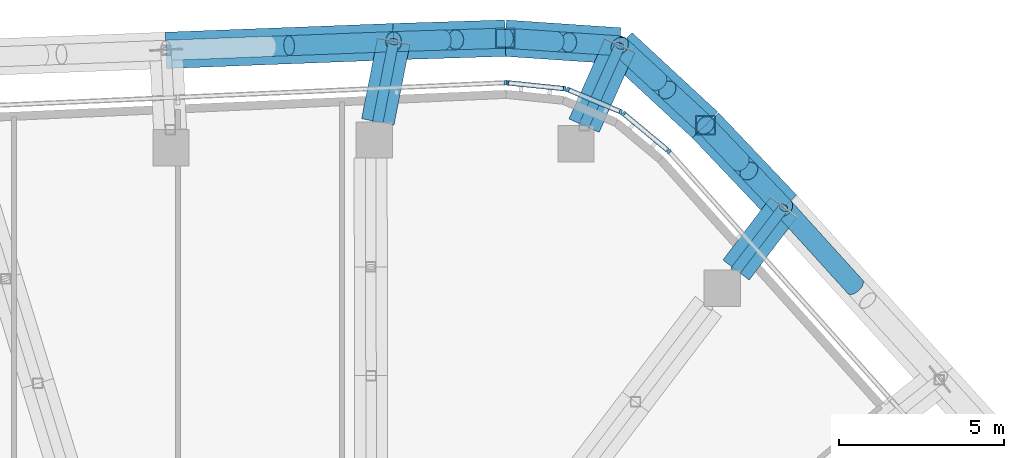
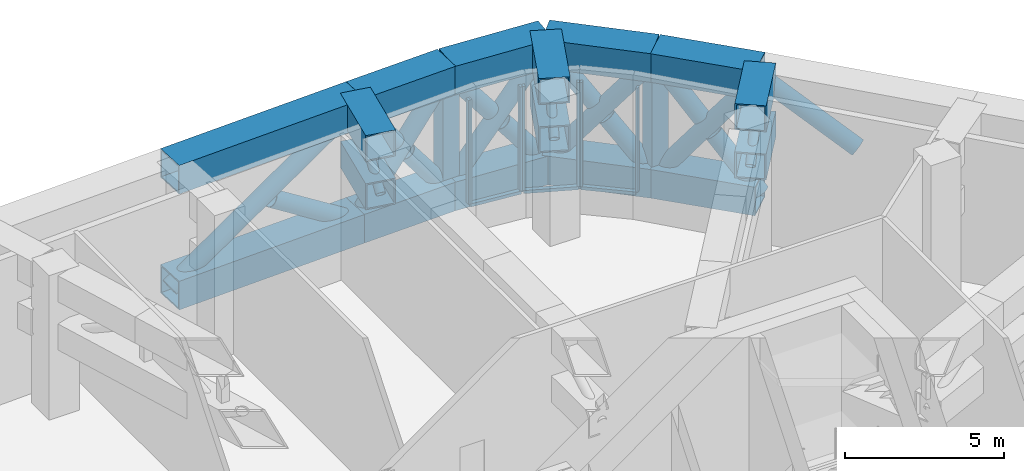
# One storey, part 9 of 31: 46 members, 3 elements without a shape of their own.
"""IFC4 building model written with IfcOpenShell, lengths in metres."""

from ifc_helpers import new_model, si_unit, direction, frame, origin, origin_2d, place, context, subcontext, project, spatial, rectangle, hollow_rectangle, hollow_circle, extrude, material, layer, layer_set, material_profile, profile_set, type_object, element, aggregate, save


model = new_model("IFC4")

# Units and contexts
model_context = context("Model", 3, precision=1e-05, world=origin(), true_north=direction((0.0, 1.0)))
body_context = subcontext(model_context, "Body", "Model", "MODEL_VIEW")
ifc_project = project(units=[si_unit("LENGTHUNIT", "METRE"), si_unit("AREAUNIT", "SQUARE_METRE"), si_unit("VOLUMEUNIT", "CUBIC_METRE"), si_unit("PLANEANGLEUNIT", "RADIAN"), si_unit("MASSUNIT", "GRAM", prefix="KILO")], contexts=[model_context])

# Site, building, storey
site_placement = place(None, origin())
site = spatial("IfcSite", under=ifc_project, at=site_placement, CompositionType="ELEMENT")
building_placement = place(site_placement, origin())
building = spatial("IfcBuilding", under=site, at=building_placement, Name="Dongbaek Canopy Tower", CompositionType="ELEMENT")
storey_placement = place(building_placement, frame((0.0, 0.0, 283.199951171875)))
storey = spatial("IfcBuildingStorey", under=building, at=storey_placement, Name="L60", CompositionType="ELEMENT", Elevation=283.199951171875)

# Members
ifc_material_1 = material(Name="Steel S355", Category="steel")
ifc_material_profile_1 = material_profile(ifc_material_1, hollow_circle(Radius=0.304931640625, WallThickness=0.01611328125, at=origin_2d()), Name="BELT BRACE CHS 610.0x16.0 Steel S355")
ifc_profile_set_1 = profile_set([ifc_material_profile_1], Name="Steel S355")
member_type_1 = type_object("IfcMemberType", Name="BELT BRACE CHS 610.0x16.0 Steel S355", PredefinedType="BRACE", material=ifc_profile_set_1)
member_1_placement = place(storey_placement, frame((-1.41845703125, 27.427978515625, 0.550048828125), z_axis=(0.839592130789, 0.032160415768, 0.542264475671), x_axis=(-0.038276737837, 0.999267177156, 0.0)))
element("IfcMember", 1, at=member_1_placement, inside=storey, type_object=member_type_1, Name="BELT:L60:15:D0:0", PredefinedType="BRACE", context=body_context, shape_type="SweptSolid", body=[
    extrude(hollow_circle(Radius=0.304931640625, WallThickness=0.01611328125, at=origin_2d()), origin(), (0.0, 0.0, 1.0), 8.206298828125),
])
member_2_placement = place(storey_placement, frame((5.471435546875, 27.69189453125, 0.550048828125), z_axis=(-0.839586464531, -0.032134801019, 0.542274767198), x_axis=(0.038246553987, -0.999268332886, 0.0)))
element("IfcMember", 2, at=member_2_placement, inside=storey, type_object=member_type_1, Name="BELT:L60:15:D0:1", PredefinedType="BRACE", context=body_context, shape_type="SweptSolid", body=[
    extrude(hollow_circle(Radius=0.304931640625, WallThickness=0.01611328125, at=origin_2d()), origin(), (0.0, 0.0, 1.0), 3.768310546875),
])
member_3_placement = place(storey_placement, frame((5.471435546875, 27.69189453125, 0.550048828125), z_axis=(0.604545577197, 0.018874300018, 0.796346913028), x_axis=(-0.031205435605, 0.999512991806, 0.0)))
element("IfcMember", 3, at=member_3_placement, inside=storey, type_object=member_type_1, Name="BELT:L60:16:D0:0", PredefinedType="BRACE", context=body_context, shape_type="SweptSolid", body=[
    extrude(hollow_circle(Radius=0.304931640625, WallThickness=0.01611328125, at=origin_2d()), origin(), (0.0, 0.0, 1.0), 5.587890625),
])
for number, where, z_axis, x_axis, name in (
    (4, (8.849609375, 27.79736328125, 0.550048828125), (-0.604502576476, -0.018921502231, 0.796378435034), (0.031285623269, -0.999510485076, 0.0), "BELT:L60:16:D0:1"),
    (5, (5.471435546875, 27.69189453125, 5.0), (0.604503700762, 0.018822987748, -0.796379916182), (-0.031122835562, 0.999515567216, 0.0), "BELT:L60:16:D0:2"),
):
    element("IfcMember", number, at=place(storey_placement, frame(where, z_axis=z_axis, x_axis=x_axis)), inside=storey, type_object=member_type_1, Name=name, PredefinedType="BRACE", context=body_context, shape_type="SweptSolid", body=[
        extrude(hollow_circle(Radius=0.304931640625, WallThickness=0.01611328125, at=origin_2d()), origin(), (0.0, 0.0, 1.0), 2.477294921875),
    ])
member_4_placement = place(storey_placement, frame((8.849609375, 27.79736328125, 0.550048828125), z_axis=(0.613800328015, -0.041522677394, 0.788368584224), x_axis=(0.067494248237, 0.99771966326, 0.0)))
element("IfcMember", 6, at=member_4_placement, inside=storey, type_object=member_type_1, Name="BELT:L60:16:D1:0", PredefinedType="BRACE", context=body_context, shape_type="SweptSolid", body=[
    extrude(hollow_circle(Radius=0.304931640625, WallThickness=0.01611328125, at=origin_2d()), origin(), (0.0, 0.0, 1.0), 5.64453125),
])
for number, where, z_axis, x_axis, name in (
    (7, (12.314208984375, 27.56298828125, 0.550048828125), (-0.613809982543, 0.041472331889, 0.788363717467), (-0.067411729285, -0.997725242116, 0.0), "BELT:L60:16:D1:1"),
    (8, (8.849609375, 27.79736328125, 5.0), (0.613807501421, -0.04156951675, -0.78836053077), (0.067569251146, 0.997714586593, 0.0), "BELT:L60:16:D1:2"),
):
    element("IfcMember", number, at=place(storey_placement, frame(where, z_axis=z_axis, x_axis=x_axis)), inside=storey, type_object=member_type_1, Name=name, PredefinedType="BRACE", context=body_context, shape_type="SweptSolid", body=[
        extrude(hollow_circle(Radius=0.304931640625, WallThickness=0.01611328125, at=origin_2d()), origin(), (0.0, 0.0, 1.0), 2.5078125),
    ])
member_5_placement = place(storey_placement, frame((12.314208984375, 27.56298828125, 0.550048828125), z_axis=(0.456501921825, -0.422698100553, 0.782899936875), x_axis=(0.679417668415, 0.73375175083, 0.0)))
element("IfcMember", 9, at=member_5_placement, inside=storey, type_object=member_type_1, Name="BELT:L60:17:D0:0", PredefinedType="BRACE", context=body_context, shape_type="SweptSolid", body=[
    extrude(hollow_circle(Radius=0.304931640625, WallThickness=0.01611328125, at=origin_2d()), origin(), (0.0, 0.0, 1.0), 5.683837890625),
])
member_6_placement = place(storey_placement, frame((14.908935546875, 25.160400390625, 0.550048828125), z_axis=(-0.456524979371, 0.422640380563, 0.782917653351), x_axis=(-0.679349237615, -0.733815108424, 0.0)))
element("IfcMember", 10, at=member_6_placement, inside=storey, type_object=member_type_1, Name="BELT:L60:17:D0:1", PredefinedType="BRACE", context=body_context, shape_type="SweptSolid", body=[
    extrude(hollow_circle(Radius=0.304931640625, WallThickness=0.01611328125, at=origin_2d()), origin(), (0.0, 0.0, 1.0), 2.529052734375),
])
member_7_placement = place(storey_placement, frame((12.314208984375, 27.56298828125, 5.0), z_axis=(0.456464430177, -0.422770249523, -0.78288283932), x_axis=(0.679510137684, 0.733666118057, 0.0)))
element("IfcMember", 11, at=member_7_placement, inside=storey, type_object=member_type_1, Name="BELT:L60:17:D0:2", PredefinedType="BRACE", context=body_context, shape_type="SweptSolid", body=[
    extrude(hollow_circle(Radius=0.304931640625, WallThickness=0.01611328125, at=origin_2d()), origin(), (0.0, 0.0, 1.0), 2.52880859375),
])
member_8_placement = place(storey_placement, frame((14.908935546875, 25.160400390625, 0.550048828125), z_axis=(0.420856655204, -0.443518835317, 0.791309496019), x_axis=(0.725396423696, 0.688331336268, 0.0)))
element("IfcMember", 12, at=member_8_placement, inside=storey, type_object=member_type_1, Name="BELT:L60:17:D1:0", PredefinedType="BRACE", context=body_context, shape_type="SweptSolid", body=[
    extrude(hollow_circle(Radius=0.304931640625, WallThickness=0.01611328125, at=origin_2d()), origin(), (0.0, 0.0, 1.0), 5.62353515625),
])
for number, where, z_axis, x_axis, name in (
    (13, (17.275634765625, 22.666259765625, 0.550048828125), (-0.42088787436, 0.443477349029, 0.791316142964), (-0.72533877653, -0.68839208251, 0.0), "BELT:L60:17:D1:1"),
    (14, (14.908935546875, 25.160400390625, 5.0), (0.420869620629, -0.443555901295, -0.791281823915), (0.725414557431, 0.688312225569, 0.0), "BELT:L60:17:D1:2"),
):
    element("IfcMember", number, at=place(storey_placement, frame(where, z_axis=z_axis, x_axis=x_axis)), inside=storey, type_object=member_type_1, Name=name, PredefinedType="BRACE", context=body_context, shape_type="SweptSolid", body=[
        extrude(hollow_circle(Radius=0.304931640625, WallThickness=0.01611328125, at=origin_2d()), origin(), (0.0, 0.0, 1.0), 2.49658203125),
    ])
member_9_placement = place(storey_placement, frame((17.275634765625, 22.666259765625, 5.0), z_axis=(0.567069951666, -0.626007895013, -0.535299715393), x_axis=(0.741134032813, 0.671357092319, 0.0)))
element("IfcMember", 15, at=member_9_placement, inside=storey, type_object=member_type_1, Name="BELT:L60:18:D0:2", PredefinedType="BRACE", context=body_context, shape_type="SweptSolid", body=[
    extrude(hollow_circle(Radius=0.304931640625, WallThickness=0.01611328125, at=origin_2d()), origin(), (0.0, 0.0, 1.0), 3.8193359375),
])
ifc_material_2 = material(Name="Steel S355", Category="steel")
ifc_material_profile_2 = material_profile(ifc_material_2, hollow_rectangle(XDim=1.10009765625, YDim=1.10009765625, WallThickness=0.054931640625, at=origin_2d()), Name="BELT CHORD BOX 1100x1100x55 Steel S355")
ifc_profile_set_2 = profile_set([ifc_material_profile_2], Name="Steel S355")
member_type_2 = type_object("IfcMemberType", Name="BELT CHORD BOX 1100x1100x55 Steel S355", PredefinedType="CHORD", material=ifc_profile_set_2)
for number, where, z_axis, x_axis, name in (
    (16, (-1.41845703125, 27.427978515625, 0.550048828125), (0.999267177156, 0.038276737837, 0.0), (-0.038276737837, 0.999267177156, 0.0), "BELT:L60:15:CB0"),
    (17, (-1.41845703125, 27.427978515625, 5.0), (0.999267177156, 0.038276737837, 0.0), (-0.038276737837, 0.999267177156, 0.0), "BELT:L60:15:CT0"),
):
    element("IfcMember", number, at=place(storey_placement, frame(where, z_axis=z_axis, x_axis=x_axis)), inside=storey, type_object=member_type_2, Name=name, PredefinedType="CHORD", context=body_context, shape_type="SweptSolid", body=[
        extrude(hollow_rectangle(XDim=1.10009765625, YDim=1.10009765625, WallThickness=0.054931640625, at=origin_2d()), origin(), (0.0, 0.0, 1.0), 6.89501953125),
    ])
for number, where, z_axis, x_axis, name in (
    (18, (5.471435546875, 27.69189453125, 0.550048828125), (0.999512991806, 0.031205435605, 0.0), (-0.031205435605, 0.999512991806, 0.0), "BELT:L60:16:CB0"),
    (19, (5.471435546875, 27.69189453125, 5.0), (0.999512991806, 0.031205435605, 0.0), (-0.031205435605, 0.999512991806, 0.0), "BELT:L60:16:CT0"),
):
    element("IfcMember", number, at=place(storey_placement, frame(where, z_axis=z_axis, x_axis=x_axis)), inside=storey, type_object=member_type_2, Name=name, PredefinedType="CHORD", context=body_context, shape_type="SweptSolid", body=[
        extrude(hollow_rectangle(XDim=1.10009765625, YDim=1.10009765625, WallThickness=0.054931640625, at=origin_2d()), origin(), (0.0, 0.0, 1.0), 3.3798828125),
    ])
for number, where, z_axis, x_axis, name in (
    (20, (8.849609375, 27.79736328125, 0.550048828125), (0.99771966326, -0.067494248237, 0.0), (0.067494248237, 0.99771966326, 0.0), "BELT:L60:16:CB1"),
    (21, (8.849609375, 27.79736328125, 5.0), (0.99771966326, -0.067494248237, 0.0), (0.067494248237, 0.99771966326, 0.0), "BELT:L60:16:CT1"),
):
    element("IfcMember", number, at=place(storey_placement, frame(where, z_axis=z_axis, x_axis=x_axis)), inside=storey, type_object=member_type_2, Name=name, PredefinedType="CHORD", context=body_context, shape_type="SweptSolid", body=[
        extrude(hollow_rectangle(XDim=1.10009765625, YDim=1.10009765625, WallThickness=0.054931640625, at=origin_2d()), origin(), (0.0, 0.0, 1.0), 3.472412109375),
    ])
for number, where, z_axis, x_axis, name in (
    (22, (12.314208984375, 27.56298828125, 0.550048828125), (0.73375175083, -0.679417668415, 0.0), (0.679417668415, 0.73375175083, 0.0), "BELT:L60:17:CB0"),
    (23, (12.314208984375, 27.56298828125, 5.0), (0.73375175083, -0.679417668415, 0.0), (0.679417668415, 0.73375175083, 0.0), "BELT:L60:17:CT0"),
):
    element("IfcMember", number, at=place(storey_placement, frame(where, z_axis=z_axis, x_axis=x_axis)), inside=storey, type_object=member_type_2, Name=name, PredefinedType="CHORD", context=body_context, shape_type="SweptSolid", body=[
        extrude(hollow_rectangle(XDim=1.10009765625, YDim=1.10009765625, WallThickness=0.054931640625, at=origin_2d()), origin(), (0.0, 0.0, 1.0), 3.5361328125),
    ])
for number, where, z_axis, x_axis, name in (
    (24, (14.908935546875, 25.160400390625, 0.550048828125), (0.688331336268, -0.725396423696, 0.0), (0.725396423696, 0.688331336268, 0.0), "BELT:L60:17:CB1"),
    (25, (14.908935546875, 25.160400390625, 5.0), (0.688331336268, -0.725396423696, 0.0), (0.725396423696, 0.688331336268, 0.0), "BELT:L60:17:CT1"),
):
    element("IfcMember", number, at=place(storey_placement, frame(where, z_axis=z_axis, x_axis=x_axis)), inside=storey, type_object=member_type_2, Name=name, PredefinedType="CHORD", context=body_context, shape_type="SweptSolid", body=[
        extrude(hollow_rectangle(XDim=1.10009765625, YDim=1.10009765625, WallThickness=0.054931640625, at=origin_2d()), origin(), (0.0, 0.0, 1.0), 3.438232421875),
    ])
ifc_material_3 = material(Name="Steel S355", Category="steel")
ifc_material_profile_3 = material_profile(ifc_material_3, hollow_rectangle(XDim=0.60009765625, YDim=0.60009765625, WallThickness=0.031982421875, at=origin_2d()), Name="BELT POST BOX 600x600x32 Steel S355")
ifc_profile_set_3 = profile_set([ifc_material_profile_3], Name="Steel S355")
member_type_3 = type_object("IfcMemberType", Name="BELT POST BOX 600x600x32 Steel S355", PredefinedType="POST", material=ifc_profile_set_3)
for number, where, z_axis, x_axis, name in (
    (26, (8.849609375, 27.79736328125, 1.10009765625), (0.0, 0.0, 1.0), (1.0, 0.0, 0.0), "BELT:L60:16:P1"),
    (27, (14.908935546875, 25.160400390625, 1.10009765625), (0.0, 0.0, 1.0), (1.0, 0.0, 0.0), "BELT:L60:17:P1"),
):
    element("IfcMember", number, at=place(storey_placement, frame(where, z_axis=z_axis, x_axis=x_axis)), inside=storey, type_object=member_type_3, Name=name, PredefinedType="POST", context=body_context, shape_type="SweptSolid", body=[
        extrude(hollow_rectangle(XDim=0.60009765625, YDim=0.60009765625, WallThickness=0.031982421875, at=origin_2d()), origin(), (0.0, 0.0, 1.0), 3.349853515625),
    ])
ifc_material_4 = material(Name="Steel S355", Category="steel")
ifc_material_profile_4 = material_profile(ifc_material_4, hollow_circle(Radius=0.1591796875, WallThickness=0.01025390625, at=origin_2d()), Name="BRACE CHS 318.5x10.3 Steel S355")
ifc_profile_set_4 = profile_set([ifc_material_profile_4], Name="Steel S355")
member_type_4 = type_object("IfcMemberType", Name="BRACE CHS 318.5x10.3 Steel S355", PredefinedType="BRACE", material=ifc_profile_set_4)
member_10_placement = place(storey_placement, frame((11.235595703125, 25.14892578125, 3.199951171875), z_axis=(0.334239437739, 0.748066899131, 0.573306124758), x_axis=(-0.913010174035, 0.407936786902, 0.0)))
element("IfcMember", 28, at=member_10_placement, inside=storey, type_object=member_type_4, Name="TRUSS:L60:17:D0", PredefinedType="BRACE", context=body_context, shape_type="SweptSolid", body=[
    extrude(hollow_circle(Radius=0.1591796875, WallThickness=0.01025390625, at=origin_2d()), origin(), (0.0, 0.0, 1.0), 3.22705078125),
])
ifc_material_5 = material(Name="Steel S355", Category="steel")
ifc_material_profile_5 = material_profile(ifc_material_5, hollow_rectangle(XDim=1.0, YDim=1.0, WallThickness=0.050048828125, at=origin_2d()), Name="CHORD BOX 1000x1000x50 Steel S355")
ifc_profile_set_5 = profile_set([ifc_material_profile_5], Name="Steel S355")
member_type_5 = type_object("IfcMemberType", Name="CHORD BOX 1000x1000x50 Steel S355", PredefinedType="CHORD", material=ifc_profile_set_5)
for number, where, z_axis, x_axis, name in (
    (29, (11.235595703125, 25.14892578125, 3.199951171875), (0.407936786902, 0.913010174035, 0.0), (-0.913010174035, 0.407936786902, 0.0), "TRUSS:L60:17:CB"),
    (30, (11.235595703125, 25.14892578125, 5.050048828125), (0.407936786902, 0.913010174035, 0.0), (-0.913010174035, 0.407936786902, 0.0), "TRUSS:L60:17:CT0"),
):
    element("IfcMember", number, at=place(storey_placement, frame(where, z_axis=z_axis, x_axis=x_axis)), inside=storey, type_object=member_type_5, Name=name, PredefinedType="CHORD", context=body_context, shape_type="SweptSolid", body=[
        extrude(hollow_rectangle(XDim=1.0, YDim=1.0, WallThickness=0.050048828125, at=origin_2d()), origin(), (0.0, 0.0, 1.0), 2.64404296875),
    ])

# Curtain wall, member
ifc_material_6 = material(Name="Aluminium 6063-T6 pale anodised", Category="aluminium")
ifc_layer = layer(ifc_material_6, 0.14990234375)
ifc_layer_set = layer_set([ifc_layer], Name="CW-7 louvre curtain wall")
curtain_wall_type = type_object("IfcCurtainWallType", Name="CW-7 louvre curtain wall", PredefinedType="NOTDEFINED", material=ifc_layer_set)
curtain_wall_1_placement = place(storey_placement, origin())
curtain_wall_1 = element("IfcCurtainWall", 31, at=curtain_wall_1_placement, inside=storey, type_object=curtain_wall_type, Name="CW-7 louvre wall L60 F0", PredefinedType="NOTDEFINED")
ifc_material_7 = material(Name="Aluminium 6063-T6 pale anodised", Category="aluminium")
ifc_material_profile_6 = material_profile(ifc_material_7, rectangle(XDim=0.14990234375, YDim=0.080078125, at=origin_2d()), Name="CW-7 mullion 80 x 150")
ifc_profile_set_6 = profile_set([ifc_material_profile_6], Name="Aluminium 6063-T6 pale anodised")
member_type_6 = type_object("IfcMemberType", Name="CW-7 mullion 80 x 150", PredefinedType="MULLION", material=ifc_profile_set_6)
member_11_placement = place(storey_placement, frame((13.808349609375, 24.36572265625, 0.775146484375), z_axis=(0.0, 0.0, 1.0), x_axis=(0.745349003867, 0.666674480113, 0.0)))
member_11 = element("IfcMember", 32, at=member_11_placement, type_object=member_type_6, Name="CW-7 mullion L60 F0.1.3", PredefinedType="MULLION", context=body_context, shape_type="SweptSolid", body=[
    extrude(rectangle(XDim=0.14990234375, YDim=0.080078125, at=origin_2d()), origin(), (0.0, 0.0, 1.0), 4.0),
])
aggregate(curtain_wall_1, [member_11])

# Curtain wall, members
curtain_wall_2_placement = place(storey_placement, origin())
curtain_wall_2 = element("IfcCurtainWall", 33, at=curtain_wall_2_placement, inside=storey, type_object=curtain_wall_type, Name="CW-7 louvre wall L60 K1", PredefinedType="NOTDEFINED")
member_12_placement = place(storey_placement, frame((12.431396484375, 25.51513671875, 0.775146484375), z_axis=(0.0, 0.0, 1.0), x_axis=(0.639214764135, 0.769028273415, 0.0)))
member_12 = element("IfcMember", 34, at=member_12_placement, type_object=member_type_6, Name="CW-7 mullion L60 K1.1.2", PredefinedType="MULLION", context=body_context, shape_type="SweptSolid", body=[
    extrude(rectangle(XDim=0.14990234375, YDim=0.080078125, at=origin_2d()), origin(), (0.0, 0.0, 1.0), 4.0),
])
member_13_placement = place(storey_placement, frame((12.343505859375, 25.568603515625, 0.775146484375), z_axis=(0.0, 0.0, 1.0), x_axis=(0.38786478276, 0.921716285141, 0.0)))
member_13 = element("IfcMember", 35, at=member_13_placement, type_object=member_type_6, Name="CW-7 mullion L60 K1.2.1", PredefinedType="MULLION", context=body_context, shape_type="SweptSolid", body=[
    extrude(rectangle(XDim=0.14990234375, YDim=0.080078125, at=origin_2d()), origin(), (0.0, 0.0, 1.0), 4.0),
])
member_14_placement = place(storey_placement, frame((10.744384765625, 26.241455078125, 0.775146484375), z_axis=(0.0, 0.0, 1.0), x_axis=(0.38786478276, 0.921716285141, 0.0)))
member_14 = element("IfcMember", 36, at=member_14_placement, type_object=member_type_6, Name="CW-7 mullion L60 K1.2.2", PredefinedType="MULLION", context=body_context, shape_type="SweptSolid", body=[
    extrude(rectangle(XDim=0.14990234375, YDim=0.080078125, at=origin_2d()), origin(), (0.0, 0.0, 1.0), 4.0),
])
member_15_placement = place(storey_placement, frame((10.644775390625, 26.26708984375, 0.775146484375), z_axis=(0.0, 0.0, 1.0), x_axis=(0.102968204863, 0.99468464791, 0.0)))
member_15 = element("IfcMember", 37, at=member_15_placement, type_object=member_type_6, Name="CW-7 mullion L60 K1.3.1", PredefinedType="MULLION", context=body_context, shape_type="SweptSolid", body=[
    extrude(rectangle(XDim=0.14990234375, YDim=0.080078125, at=origin_2d()), origin(), (0.0, 0.0, 1.0), 4.0),
])
member_16_placement = place(storey_placement, frame((8.91162109375, 26.446533203125, 0.775146484375), z_axis=(0.0, 0.0, 1.0), x_axis=(0.102968204863, 0.99468464791, 0.0)))
member_16 = element("IfcMember", 38, at=member_16_placement, type_object=member_type_6, Name="CW-7 mullion L60 K1.3.2", PredefinedType="MULLION", context=body_context, shape_type="SweptSolid", body=[
    extrude(rectangle(XDim=0.14990234375, YDim=0.080078125, at=origin_2d()), origin(), (0.0, 0.0, 1.0), 4.0),
])

# Curtain wall, member
curtain_wall_3_placement = place(storey_placement, origin())
curtain_wall_3 = element("IfcCurtainWall", 39, at=curtain_wall_3_placement, inside=storey, type_object=curtain_wall_type, Name="CW-7 louvre wall L60 F1", PredefinedType="NOTDEFINED")
member_17_placement = place(storey_placement, frame((8.860107421875, 26.447998046875, 0.775146484375), z_axis=(0.0, 0.0, 1.0), x_axis=(-0.044415783654, 0.999013132127, 0.0)))
member_17 = element("IfcMember", 40, at=member_17_placement, type_object=member_type_6, Name="CW-7 mullion L60 F1.1.1", PredefinedType="MULLION", context=body_context, shape_type="SweptSolid", body=[
    extrude(rectangle(XDim=0.14990234375, YDim=0.080078125, at=origin_2d()), origin(), (0.0, 0.0, 1.0), 4.0),
])
aggregate(curtain_wall_3, [member_17])

# Member
ifc_material_8 = material(Name="Aluminium 6063-T6 pale anodised", Category="aluminium")
ifc_material_profile_7 = material_profile(ifc_material_8, rectangle(XDim=0.14990234375, YDim=0.1201171875, at=origin_2d()), Name="CW-7 transom 120 x 150")
ifc_profile_set_7 = profile_set([ifc_material_profile_7], Name="Aluminium 6063-T6 pale anodised")
member_type_7 = type_object("IfcMemberType", Name="CW-7 transom 120 x 150", PredefinedType="USERDEFINED", material=ifc_profile_set_7)
member_18_placement = place(storey_placement, frame((13.771240234375, 24.401611328125, 0.715087890625), z_axis=(-0.76907061237, 0.639163823436, 0.0), x_axis=(-0.639163823436, -0.76907061237, 0.0)))
member_18 = element("IfcMember", 41, at=member_18_placement, type_object=member_type_7, Name="CW-7 transom L60 K1.1", ObjectType="TRANSOM", PredefinedType="USERDEFINED", context=body_context, shape_type="SweptSolid", body=[
    extrude(rectangle(XDim=0.14990234375, YDim=0.1201171875, at=origin_2d()), origin(), (0.0, 0.0, 1.0), 1.7421875),
])

member_19_placement = place(storey_placement, frame((12.343505859375, 25.568603515625, 0.715087890625), z_axis=(-0.921730707326, 0.387830508304, 0.0), x_axis=(-0.387830508304, -0.921730707326, 0.0)))
member_19 = element("IfcMember", 42, at=member_19_placement, type_object=member_type_7, Name="CW-7 transom L60 K1.2", ObjectType="TRANSOM", PredefinedType="USERDEFINED", context=body_context, shape_type="SweptSolid", body=[
    extrude(rectangle(XDim=0.14990234375, YDim=0.1201171875, at=origin_2d()), origin(), (0.0, 0.0, 1.0), 1.73486328125),
])

member_20_placement = place(storey_placement, frame((10.644775390625, 26.26708984375, 0.715087890625), z_axis=(-0.994682888623, 0.102985198357, 0.0), x_axis=(-0.102985198357, -0.994682888623, 0.0)))
member_20 = element("IfcMember", 43, at=member_20_placement, type_object=member_type_7, Name="CW-7 transom L60 K1.3", ObjectType="TRANSOM", PredefinedType="USERDEFINED", context=body_context, shape_type="SweptSolid", body=[
    extrude(rectangle(XDim=0.14990234375, YDim=0.1201171875, at=origin_2d()), origin(), (0.0, 0.0, 1.0), 1.742431640625),
])

aggregate(curtain_wall_2, [member_18, member_12, member_19, member_13, member_14, member_20, member_15, member_16])

# Members
ifc_material_9 = material(Name="Steel S355", Category="steel")
ifc_material_profile_8 = material_profile(ifc_material_9, hollow_circle(Radius=0.1591796875, WallThickness=0.01025390625, at=origin_2d()), Name="OUTRIGGER BRACE CHS 318.5x10.3 Steel S355")
ifc_profile_set_8 = profile_set([ifc_material_profile_8], Name="Steel S355")
member_type_8 = type_object("IfcMemberType", Name="OUTRIGGER BRACE CHS 318.5x10.3 Steel S355", PredefinedType="BRACE", material=ifc_profile_set_8)
member_21_placement = place(storey_placement, frame((4.99169921875, 25.263916015625, 3.199951171875), z_axis=(0.155254573053, 0.785754060564, 0.598737483254), x_axis=(-0.981033321974, 0.193839163165, 0.0)))
element("IfcMember", 44, at=member_21_placement, inside=storey, type_object=member_type_8, Name="TRUSS:L60:16s:D0", PredefinedType="BRACE", context=body_context, shape_type="SweptSolid", body=[
    extrude(hollow_circle(Radius=0.1591796875, WallThickness=0.01025390625, at=origin_2d()), origin(), (0.0, 0.0, 1.0), 3.090087890625),
])
member_22_placement = place(storey_placement, frame((15.837158203125, 20.779052734375, 3.199951171875), z_axis=(0.47807001179, 0.627203189262, 0.614870086446), x_axis=(-0.795308889978, 0.606204395828, 0.0)))
element("IfcMember", 45, at=member_22_placement, inside=storey, type_object=member_type_8, Name="TRUSS:L60:18s:D0", PredefinedType="BRACE", context=body_context, shape_type="SweptSolid", body=[
    extrude(hollow_circle(Radius=0.1591796875, WallThickness=0.01025390625, at=origin_2d()), origin(), (0.0, 0.0, 1.0), 3.009033203125),
])
ifc_material_10 = material(Name="Steel S355", Category="steel")
ifc_material_profile_9 = material_profile(ifc_material_10, hollow_rectangle(XDim=1.0, YDim=1.0, WallThickness=0.050048828125, at=origin_2d()), Name="OUTRIGGER CHORD BOX 1000x1000x50 Steel S355")
ifc_profile_set_9 = profile_set([ifc_material_profile_9], Name="Steel S355")
member_type_9 = type_object("IfcMemberType", Name="OUTRIGGER CHORD BOX 1000x1000x50 Steel S355", PredefinedType="CHORD", material=ifc_profile_set_9)
for number, where, z_axis, x_axis, name in (
    (46, (4.99169921875, 25.263916015625, 3.199951171875), (0.193839163165, 0.981033321974, 0.0), (-0.981033321974, 0.193839163165, 0.0), "TRUSS:L60:16s:CB"),
    (47, (4.99169921875, 25.263916015625, 5.050048828125), (0.193839163165, 0.981033321974, 0.0), (-0.981033321974, 0.193839163165, 0.0), "TRUSS:L60:16s:CT0"),
):
    element("IfcMember", number, at=place(storey_placement, frame(where, z_axis=z_axis, x_axis=x_axis)), inside=storey, type_object=member_type_9, Name=name, PredefinedType="CHORD", context=body_context, shape_type="SweptSolid", body=[
        extrude(hollow_rectangle(XDim=1.0, YDim=1.0, WallThickness=0.050048828125, at=origin_2d()), origin(), (0.0, 0.0, 1.0), 2.474853515625),
    ])
for number, where, z_axis, x_axis, name in (
    (48, (15.837158203125, 20.779052734375, 3.199951171875), (0.606204395828, 0.795308889978, 0.0), (-0.795308889978, 0.606204395828, 0.0), "TRUSS:L60:18s:CB"),
    (49, (15.837158203125, 20.779052734375, 5.050048828125), (0.606204395828, 0.795308889978, 0.0), (-0.795308889978, 0.606204395828, 0.0), "TRUSS:L60:18s:CT0"),
):
    element("IfcMember", number, at=place(storey_placement, frame(where, z_axis=z_axis, x_axis=x_axis)), inside=storey, type_object=member_type_9, Name=name, PredefinedType="CHORD", context=body_context, shape_type="SweptSolid", body=[
        extrude(hollow_rectangle(XDim=1.0, YDim=1.0, WallThickness=0.050048828125, at=origin_2d()), origin(), (0.0, 0.0, 1.0), 2.372802734375),
    ])

save(model, "model.ifc")
